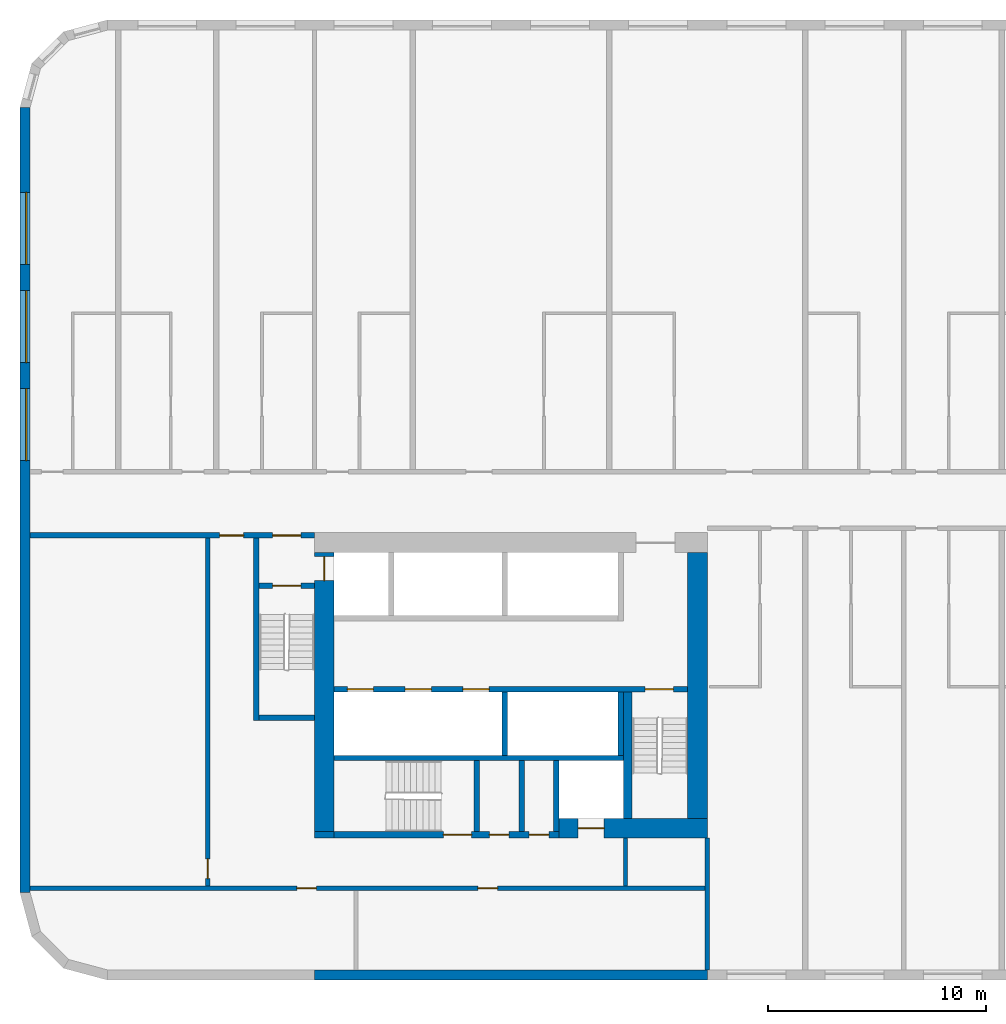
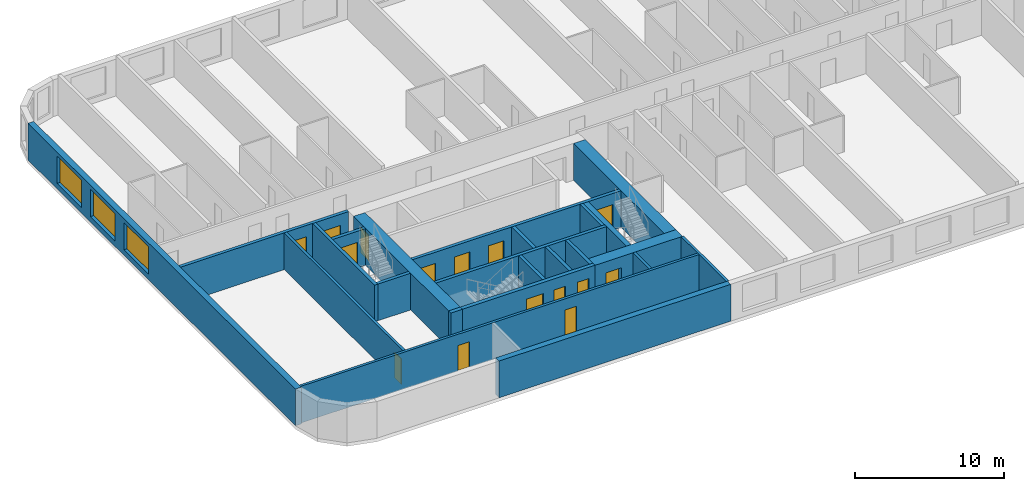
# One storey, part 2 of 12: 23 walls, 15 doors, 3 windows, 18 openings.
"""IFC4 building model written with IfcOpenShell, lengths in metres."""

from ifc_helpers import new_model, si_unit, direction, frame, frame_2d, origin, place, context, subcontext, project, spatial, rectangle, extrude, material, layer, layer_set, type_object, element, fill, save


model = new_model("IFC4")

# Units and contexts
model_context = context("Model", 3, precision=1e-05, world=origin(), true_north=direction((0.0, 1.0)))
body_context = subcontext(model_context, "Body", "Model", "MODEL_VIEW")
ifc_project = project(units=[si_unit("LENGTHUNIT", "METRE"), si_unit("AREAUNIT", "SQUARE_METRE"), si_unit("VOLUMEUNIT", "CUBIC_METRE"), si_unit("PLANEANGLEUNIT", "RADIAN"), si_unit("MASSUNIT", "GRAM", prefix="KILO")], contexts=[model_context])

# Site, building, storey
site_placement = place(None, origin())
site = spatial("IfcSite", under=ifc_project, at=site_placement, CompositionType="ELEMENT")
building_placement = place(site_placement, origin())
building = spatial("IfcBuilding", under=site, at=building_placement, Name="Kajstack Hotel Tower", CompositionType="ELEMENT")
storey_placement = place(building_placement, frame((0.0, 0.0, 73.199951171875)))
storey = spatial("IfcBuildingStorey", under=building, at=storey_placement, Name="L13", CompositionType="ELEMENT", Elevation=73.199951171875)

# Wall, opening, door
ifc_material_1 = material(Name="Concrete C60/75", Category="concrete")
ifc_layer_1 = layer(ifc_material_1, 0.89990234375)
ifc_layer_set_1 = layer_set([ifc_layer_1], Name="Core wall 900")
wall_type_1 = type_object("IfcWallType", Name="Core wall 900", PredefinedType="SHEAR", material=ifc_layer_set_1)
wall_1_placement = place(storey_placement, frame((-20.300048828125, -15.050048828125, 0.0), z_axis=(0.0, 0.0, 1.0), x_axis=(1.0, 0.0, 0.0)))
wall_1 = element("IfcWall", 1, at=wall_1_placement, inside=storey, type_object=wall_type_1, Name="Core wall W RS", PredefinedType="SHEAR", context=body_context, shape_type="SweptSolid", body=[
    extrude(rectangle(XDim=6.800048828125, YDim=0.89990234375, at=frame_2d((3.39990234375, 0.0))), origin(), (0.0, 0.0, 1.0), 3.02001953125),
])
opening_1_placement = place(wall_1_placement, frame((0.875, 0.0, 0.0)))
opening_1 = element("IfcOpeningElement", 2, at=opening_1_placement, cuts=wall_1, Name="Opening LD-SV1", PredefinedType="OPENING", context=body_context, shape_type="SweptSolid", body=[
    extrude(rectangle(XDim=1.199951171875, YDim=2.10009765625, at=frame_2d((0.60009765625, 1.050048828125))), frame((0.0, 0.4599609375, 0.0), z_axis=(0.0, -1.0, 0.0), x_axis=(1.0, 0.0, 0.0)), (0.0, 0.0, 1.0), 0.919921875),
])
ifc_material_2 = material(Name="Stainless steel", Category="steel")
door_type_1 = type_object("IfcDoorType", Name="Lift landing door 1200", OperationType="SLIDING_TO_LEFT", PredefinedType="DOOR", material=ifc_material_2)
door_1_placement = place(opening_1_placement, origin())
door_1 = element("IfcDoor", 3, at=door_1_placement, inside=storey, type_object=door_type_1, Name="Landing door SV1", OperationType="SLIDING_TO_LEFT", OverallHeight=2.10009765625, OverallWidth=1.199951171875, PredefinedType="DOOR", context=body_context, shape_type="SweptSolid", body=[
    extrude(rectangle(XDim=1.199951171875, YDim=2.10009765625, at=frame_2d((0.60009765625, 1.050048828125))), frame((0.0, 0.02490234375, 0.0), z_axis=(0.0, -1.0, 0.0), x_axis=(1.0, 0.0, 0.0)), (0.0, 0.0, 1.0), 0.050048828125),
])
fill(opening_1, door_1)

# Wall
wall_2_placement = place(storey_placement, frame((-31.5, -15.35009765625, 0.0), z_axis=(0.0, 0.0, 1.0), x_axis=(1.0, 0.0, 0.0)))
element("IfcWall", 4, at=wall_2_placement, inside=storey, type_object=wall_type_1, Name="Core wall W RSW", PredefinedType="SHEAR", context=body_context, shape_type="SweptSolid", body=[
    extrude(rectangle(XDim=0.89990234375, YDim=0.300048828125, at=frame_2d((0.449951171875, 0.0))), origin(), (0.0, 0.0, 1.0), 3.02001953125),
])

# Wall, opening, door
wall_3_placement = place(storey_placement, frame((-31.050048828125, -15.199951171875, 0.0), z_axis=(0.0, 0.0, 1.0), x_axis=(0.0, 1.0, 0.0)))
wall_3 = element("IfcWall", 5, at=wall_3_placement, inside=storey, type_object=wall_type_1, Name="Core wall W RW", PredefinedType="SHEAR", context=body_context, shape_type="SweptSolid", body=[
    extrude(rectangle(XDim=12.800048828125, YDim=0.89990234375, at=frame_2d((6.39990234375, 0.0))), origin(), (0.0, 0.0, 1.0), 3.02001953125),
])
opening_2_placement = place(wall_3_placement, frame((11.5, 0.0, 0.0)))
opening_2 = element("IfcOpeningElement", 6, at=opening_2_placement, cuts=wall_3, Name="Opening LD-FF1", PredefinedType="OPENING", context=body_context, shape_type="SweptSolid", body=[
    extrude(rectangle(XDim=1.10009765625, YDim=2.10009765625, at=frame_2d((0.550048828125, 1.050048828125))), frame((0.0, 0.4599609375, 0.0), z_axis=(0.0, -1.0, 0.0), x_axis=(1.0, 0.0, 0.0)), (0.0, 0.0, 1.0), 0.919921875),
])
door_type_2 = type_object("IfcDoorType", Name="Fire-fighting lift landing door 1100", OperationType="SLIDING_TO_LEFT", PredefinedType="DOOR", material=ifc_material_2)
door_2_placement = place(opening_2_placement, origin())
door_2 = element("IfcDoor", 7, at=door_2_placement, inside=storey, type_object=door_type_2, Name="Landing door FF1", OperationType="SLIDING_TO_RIGHT", OverallHeight=2.10009765625, OverallWidth=1.10009765625, PredefinedType="DOOR", context=body_context, shape_type="SweptSolid", body=[
    extrude(rectangle(XDim=1.10009765625, YDim=2.10009765625, at=frame_2d((0.550048828125, 1.050048828125))), frame((0.0, 0.02490234375, 0.0), z_axis=(0.0, -1.0, 0.0), x_axis=(1.0, 0.0, 0.0)), (0.0, 0.0, 1.0), 0.050048828125),
])
fill(opening_2, door_2)

# Walls
wall_4_placement = place(storey_placement, frame((-13.949951171875, -14.60009765625, 0.0), z_axis=(0.0, 0.0, 1.0), x_axis=(0.0, 1.0, 0.0)))
element("IfcWall", 8, at=wall_4_placement, inside=storey, type_object=wall_type_1, Name="Core wall W RE", PredefinedType="SHEAR", context=body_context, shape_type="SweptSolid", body=[
    extrude(rectangle(XDim=12.2001953125, YDim=0.89990234375, at=frame_2d((6.10009765625, 0.0))), origin(), (0.0, 0.0, 1.0), 3.02001953125),
])
ifc_material_3 = material(Name="Twin-frame gypsum board on steel studs, mineral wool", Category="steel")
ifc_layer_2 = layer(ifc_material_3, 0.199951171875)
ifc_layer_set_2 = layer_set([ifc_layer_2], Name="Demising wall 200")
wall_type_2 = type_object("IfcWallType", Name="Demising wall 200", PredefinedType="PARTITIONING", material=ifc_layer_set_2)
wall_5_placement = place(storey_placement, frame((-13.5, -21.550048828125, 0.0), z_axis=(0.0, 0.0, 1.0), x_axis=(0.0, 1.0, 0.0)))
element("IfcWall", 9, at=wall_5_placement, inside=storey, type_object=wall_type_2, Name="G-wall-L13-002", PredefinedType="PARTITIONING", context=body_context, shape_type="SweptSolid", body=[
    extrude(rectangle(XDim=6.050048828125, YDim=0.199951171875, at=frame_2d((3.02490234375, 0.0))), origin(), (0.0, 0.0, 1.0), 3.02001953125),
])
ifc_material_4 = material(Name="Concrete C40/50", Category="concrete")
ifc_layer_3 = layer(ifc_material_4, 0.449951171875)
ifc_layer_set_3 = layer_set([ifc_layer_3], Name="EW-CORE")
wall_type_3 = type_object("IfcWallType", Name="EW-CORE", PredefinedType="SOLIDWALL", material=ifc_layer_set_3)
wall_6_placement = place(storey_placement, frame((-31.5, -21.77490234375, 0.0), z_axis=(0.0, 0.0, 1.0), x_axis=(1.0, 0.0, 0.0)))
element("IfcWall", 10, at=wall_6_placement, inside=storey, type_object=wall_type_3, Name="E-wall-L13-03-01", PredefinedType="SOLIDWALL", context=body_context, shape_type="SweptSolid", body=[
    extrude(rectangle(XDim=18.0, YDim=0.449951171875, at=frame_2d((9.0, 0.0))), origin(), (0.0, 0.0, 1.0), 3.02001953125),
])

# Wall, openings, windows
ifc_material_5 = material(Name="Terracotta-faced brick masonry", Category="masonry")
ifc_layer_4 = layer(ifc_material_5, 0.449951171875)
ifc_layer_set_4 = layer_set([ifc_layer_4], Name="EW-TERRA")
wall_type_4 = type_object("IfcWallType", Name="EW-TERRA", PredefinedType="SOLIDWALL", material=ifc_layer_set_4)
wall_7_placement = place(storey_placement, frame((-44.77490234375, 18.0, 0.0), z_axis=(0.0, 0.0, 1.0), x_axis=(0.0, -1.0, 0.0)))
wall_7 = element("IfcWall", 11, at=wall_7_placement, inside=storey, type_object=wall_type_4, Name="E-wall-L13-15-00", PredefinedType="SOLIDWALL", context=body_context, shape_type="SweptSolid", body=[
    extrude(rectangle(XDim=36.0, YDim=0.449951171875, at=frame_2d((18.0, 0.0))), origin(), (0.0, 0.0, 1.0), 3.02001953125),
])
opening_3_placement = place(wall_7_placement, frame((3.89990234375, 0.0, 0.449951171875)))
opening_3 = element("IfcOpeningElement", 12, at=opening_3_placement, cuts=wall_7, Name="Opening W2", PredefinedType="OPENING", context=body_context, shape_type="SweptSolid", body=[
    extrude(rectangle(XDim=3.300048828125, YDim=2.25, at=frame_2d((1.64990234375, 1.125))), frame((0.0, 0.23486328125, 0.0), z_axis=(0.0, -1.0, 0.0), x_axis=(1.0, 0.0, 0.0)), (0.0, 0.0, 1.0), 0.469970703125),
])
opening_4_placement = place(wall_7_placement, frame((8.39990234375, 0.0, 0.449951171875)))
opening_4 = element("IfcOpeningElement", 13, at=opening_4_placement, cuts=wall_7, Name="Opening W2", PredefinedType="OPENING", context=body_context, shape_type="SweptSolid", body=[
    extrude(rectangle(XDim=3.300048828125, YDim=2.25, at=frame_2d((1.64990234375, 1.125))), frame((0.0, 0.23486328125, 0.0), z_axis=(0.0, -1.0, 0.0), x_axis=(1.0, 0.0, 0.0)), (0.0, 0.0, 1.0), 0.469970703125),
])
opening_5_placement = place(wall_7_placement, frame((12.89990234375, 0.0, 0.449951171875)))
opening_5 = element("IfcOpeningElement", 14, at=opening_5_placement, cuts=wall_7, Name="Opening W2", PredefinedType="OPENING", context=body_context, shape_type="SweptSolid", body=[
    extrude(rectangle(XDim=3.300048828125, YDim=2.25, at=frame_2d((1.64990234375, 1.125))), frame((0.0, 0.23486328125, 0.0), z_axis=(0.0, -1.0, 0.0), x_axis=(1.0, 0.0, 0.0)), (0.0, 0.0, 1.0), 0.469970703125),
])
ifc_material_6 = material(Name="Timber-aluminium window, triple glazed", Category="wood")
window_type = type_object("IfcWindowType", Name="WG2", PartitioningType="SINGLE_PANEL", PredefinedType="WINDOW", material=ifc_material_6)
window_1_placement = place(opening_3_placement, origin())
window_1 = element("IfcWindow", 15, at=window_1_placement, inside=storey, type_object=window_type, Name="Window W2 L13-15", OverallHeight=2.25, OverallWidth=3.300048828125, PartitioningType="SINGLE_PANEL", PredefinedType="WINDOW", context=body_context, shape_type="SweptSolid", body=[
    extrude(rectangle(XDim=3.300048828125, YDim=2.25, at=frame_2d((1.64990234375, 1.125))), frame((0.0, 0.090087890625, 0.0), z_axis=(0.0, -1.0, 0.0), x_axis=(1.0, 0.0, 0.0)), (0.0, 0.0, 1.0), 0.06005859375),
])
fill(opening_3, window_1)
window_2_placement = place(opening_4_placement, origin())
window_2 = element("IfcWindow", 16, at=window_2_placement, inside=storey, type_object=window_type, Name="Window W2 L13-15", OverallHeight=2.25, OverallWidth=3.300048828125, PartitioningType="SINGLE_PANEL", PredefinedType="WINDOW", context=body_context, shape_type="SweptSolid", body=[
    extrude(rectangle(XDim=3.300048828125, YDim=2.25, at=frame_2d((1.64990234375, 1.125))), frame((0.0, 0.090087890625, 0.0), z_axis=(0.0, -1.0, 0.0), x_axis=(1.0, 0.0, 0.0)), (0.0, 0.0, 1.0), 0.06005859375),
])
fill(opening_4, window_2)
window_3_placement = place(opening_5_placement, origin())
window_3 = element("IfcWindow", 17, at=window_3_placement, inside=storey, type_object=window_type, Name="Window W2 L13-15", OverallHeight=2.25, OverallWidth=3.300048828125, PartitioningType="SINGLE_PANEL", PredefinedType="WINDOW", context=body_context, shape_type="SweptSolid", body=[
    extrude(rectangle(XDim=3.300048828125, YDim=2.25, at=frame_2d((1.64990234375, 1.125))), frame((0.0, 0.090087890625, 0.0), z_axis=(0.0, -1.0, 0.0), x_axis=(1.0, 0.0, 0.0)), (0.0, 0.0, 1.0), 0.06005859375),
])
fill(opening_5, window_3)

# Walls
ifc_material_7 = material(Name="Concrete C50/60", Category="concrete")
ifc_layer_5 = layer(ifc_material_7, 0.300048828125)
ifc_layer_set_5 = layer_set([ifc_layer_5], Name="Hoistway divider wall 300")
wall_type_5 = type_object("IfcWallType", Name="Hoistway divider wall 300", PredefinedType="SHEAR", material=ifc_layer_set_5)
wall_8_placement = place(storey_placement, frame((-22.77490234375, -11.699951171875, 0.0), z_axis=(0.0, 0.0, 1.0), x_axis=(0.0, 1.0, 0.0)))
element("IfcWall", 18, at=wall_8_placement, inside=storey, type_object=wall_type_5, Name="Core wall W BP2", PredefinedType="SHEAR", context=body_context, shape_type="SweptSolid", body=[
    extrude(rectangle(XDim=2.89990234375, YDim=0.25, at=frame_2d((1.449951171875, 0.0))), origin(), (0.0, 0.0, 1.0), 3.02001953125),
])
ifc_material_8 = material(Name="Concrete block masonry", Category="masonry")
ifc_layer_6 = layer(ifc_material_8, 0.25)
ifc_layer_set_6 = layer_set([ifc_layer_6], Name="Riser partition 250")
wall_type_6 = type_object("IfcWallType", Name="Riser partition 250", PredefinedType="PARTITIONING", material=ifc_layer_set_6)
wall_9_placement = place(storey_placement, frame((-22.0, -15.199951171875, 0.0), z_axis=(0.0, 0.0, 1.0), x_axis=(0.0, 1.0, 0.0)))
element("IfcWall", 19, at=wall_9_placement, inside=storey, type_object=wall_type_6, Name="Partition W SZ0", PredefinedType="PARTITIONING", context=body_context, shape_type="SweptSolid", body=[
    extrude(rectangle(XDim=3.25, YDim=0.25, at=frame_2d((1.625, 0.0))), origin(), (0.0, 0.0, 1.0), 3.02001953125),
])

# Wall, openings, doors
ifc_material_9 = material(Name="Gypsum board on steel studs, mineral wool", Category="steel")
ifc_layer_7 = layer(ifc_material_9, 0.199951171875)
ifc_layer_set_7 = layer_set([ifc_layer_7], Name="Service partition 200")
wall_type_7 = type_object("IfcWallType", Name="Service partition 200", PredefinedType="PARTITIONING", material=ifc_layer_set_7)
wall_10_placement = place(storey_placement, frame((-44.550048828125, -1.625, 0.0), z_axis=(0.0, 0.0, 1.0), x_axis=(1.0, 0.0, 0.0)))
wall_10 = element("IfcWall", 20, at=wall_10_placement, inside=storey, type_object=wall_type_7, Name="Partition W SN", PredefinedType="PARTITIONING", context=body_context, shape_type="SweptSolid", body=[
    extrude(rectangle(XDim=13.050048828125, YDim=0.25, at=frame_2d((6.52490234375, 0.0))), origin(), (0.0, 0.0, 1.0), 3.02001953125),
])
opening_6_placement = place(wall_10_placement, frame((11.125, 0.0, 0.0)))
opening_6 = element("IfcOpeningElement", 21, at=opening_6_placement, cuts=wall_10, Name="Opening 13W07", PredefinedType="OPENING", context=body_context, shape_type="SweptSolid", body=[
    extrude(rectangle(XDim=1.300048828125, YDim=2.10009765625, at=frame_2d((0.64990234375, 1.050048828125))), frame((0.0, 0.135009765625, 0.0), z_axis=(0.0, -1.0, 0.0), x_axis=(1.0, 0.0, 0.0)), (0.0, 0.0, 1.0), 0.27001953125),
])
opening_7_placement = place(wall_10_placement, frame((8.699951171875, 0.0, 0.0)))
opening_7 = element("IfcOpeningElement", 22, at=opening_7_placement, cuts=wall_10, Name="Opening 13W09", PredefinedType="OPENING", context=body_context, shape_type="SweptSolid", body=[
    extrude(rectangle(XDim=1.10009765625, YDim=2.10009765625, at=frame_2d((0.550048828125, 1.050048828125))), frame((0.0, 0.135009765625, 0.0), z_axis=(0.0, -1.0, 0.0), x_axis=(1.0, 0.0, 0.0)), (0.0, 0.0, 1.0), 0.27001953125),
])
ifc_material_10 = material(Name="Steel leaf, fire-rated", Category="steel")
door_type_3 = type_object("IfcDoorType", Name="Fire lobby door 1300", OperationType="SINGLE_SWING_LEFT", PredefinedType="DOOR", material=ifc_material_10)
door_3_placement = place(opening_6_placement, origin())
door_3 = element("IfcDoor", 23, at=door_3_placement, inside=storey, type_object=door_type_3, Name="Door 13W07", OperationType="SINGLE_SWING_RIGHT", OverallHeight=2.10009765625, OverallWidth=1.300048828125, PredefinedType="DOOR", context=body_context, shape_type="SweptSolid", body=[
    extrude(rectangle(XDim=1.300048828125, YDim=2.10009765625, at=frame_2d((0.64990234375, 1.050048828125))), frame((0.0, 0.02490234375, 0.0), z_axis=(0.0, -1.0, 0.0), x_axis=(1.0, 0.0, 0.0)), (0.0, 0.0, 1.0), 0.050048828125),
])
fill(opening_6, door_3)
ifc_material_11 = material(Name="Timber leaf, fire-rated", Category="wood")
door_type_4 = type_object("IfcDoorType", Name="Service corridor door 1100", OperationType="SINGLE_SWING_LEFT", PredefinedType="DOOR", material=ifc_material_11)
door_4_placement = place(opening_7_placement, origin())
door_4 = element("IfcDoor", 24, at=door_4_placement, inside=storey, type_object=door_type_4, Name="Door 13W09", OperationType="SINGLE_SWING_RIGHT", OverallHeight=2.10009765625, OverallWidth=1.10009765625, PredefinedType="DOOR", context=body_context, shape_type="SweptSolid", body=[
    extrude(rectangle(XDim=1.10009765625, YDim=2.10009765625, at=frame_2d((0.550048828125, 1.050048828125))), frame((0.0, 0.02490234375, 0.0), z_axis=(0.0, -1.0, 0.0), x_axis=(1.0, 0.0, 0.0)), (0.0, 0.0, 1.0), 0.050048828125),
])
fill(opening_7, door_4)

# Wall
wall_11_placement = place(storey_placement, frame((-17.25, -17.699951171875, 0.0), z_axis=(0.0, 0.0, 1.0), x_axis=(0.0, 1.0, 0.0)))
element("IfcWall", 25, at=wall_11_placement, inside=storey, type_object=wall_type_7, Name="Partition W SCE", PredefinedType="PARTITIONING", context=body_context, shape_type="SweptSolid", body=[
    extrude(rectangle(XDim=2.199951171875, YDim=0.199951171875, at=frame_2d((1.10009765625, 0.0))), origin(), (0.0, 0.0, 1.0), 3.02001953125),
])

# Wall, opening, door
wall_12_placement = place(storey_placement, frame((-36.39990234375, -17.699951171875, 0.0), z_axis=(0.0, 0.0, 1.0), x_axis=(0.0, 1.0, 0.0)))
wall_12 = element("IfcWall", 26, at=wall_12_placement, inside=storey, type_object=wall_type_7, Name="Partition W WRE", PredefinedType="PARTITIONING", context=body_context, shape_type="SweptSolid", body=[
    extrude(rectangle(XDim=15.949951171875, YDim=0.199951171875, at=frame_2d((7.97509765625, 0.0))), origin(), (0.0, 0.0, 1.0), 3.02001953125),
])
opening_8_placement = place(wall_12_placement, frame((0.35009765625, 0.0, 0.0)))
opening_8 = element("IfcOpeningElement", 27, at=opening_8_placement, cuts=wall_12, Name="Opening 13W16", PredefinedType="OPENING", context=body_context, shape_type="SweptSolid", body=[
    extrude(rectangle(XDim=0.89990234375, YDim=2.10009765625, at=frame_2d((0.449951171875, 1.050048828125))), frame((0.0, 0.10986328125, 0.0), z_axis=(0.0, -1.0, 0.0), x_axis=(1.0, 0.0, 0.0)), (0.0, 0.0, 1.0), 0.219970703125),
])
door_type_5 = type_object("IfcDoorType", Name="Service door 900", OperationType="SINGLE_SWING_LEFT", PredefinedType="DOOR", material=ifc_material_11)
door_5_placement = place(opening_8_placement, origin())
door_5 = element("IfcDoor", 28, at=door_5_placement, inside=storey, type_object=door_type_5, Name="Door 13W16", OperationType="SINGLE_SWING_LEFT", OverallHeight=2.10009765625, OverallWidth=0.89990234375, PredefinedType="DOOR", context=body_context, shape_type="SweptSolid", body=[
    extrude(rectangle(XDim=0.89990234375, YDim=2.10009765625, at=frame_2d((0.449951171875, 1.050048828125))), frame((0.0, 0.02490234375, 0.0), z_axis=(0.0, -1.0, 0.0), x_axis=(1.0, 0.0, 0.0)), (0.0, 0.0, 1.0), 0.050048828125),
])
fill(opening_8, door_5)

# Wall, openings, doors
wall_13_placement = place(storey_placement, frame((-44.550048828125, -17.800048828125, 0.0), z_axis=(0.0, 0.0, 1.0), x_axis=(1.0, 0.0, 0.0)))
wall_13 = element("IfcWall", 29, at=wall_13_placement, inside=storey, type_object=wall_type_7, Name="Partition W SLN", PredefinedType="PARTITIONING", context=body_context, shape_type="SweptSolid", body=[
    extrude(rectangle(XDim=30.949951171875, YDim=0.199951171875, at=frame_2d((15.47509765625, 0.0))), origin(), (0.0, 0.0, 1.0), 3.02001953125),
])
opening_9_placement = place(wall_13_placement, frame((12.237548828125, 0.0, 0.0)))
opening_9 = element("IfcOpeningElement", 30, at=opening_9_placement, cuts=wall_13, Name="Opening 13W14", PredefinedType="OPENING", context=body_context, shape_type="SweptSolid", body=[
    extrude(rectangle(XDim=0.89990234375, YDim=2.10009765625, at=frame_2d((0.449951171875, 1.050048828125))), frame((0.0, 0.10986328125, 0.0), z_axis=(0.0, -1.0, 0.0), x_axis=(1.0, 0.0, 0.0)), (0.0, 0.0, 1.0), 0.219970703125),
])
opening_10_placement = place(wall_13_placement, frame((20.53759765625, 0.0, 0.0)))
opening_10 = element("IfcOpeningElement", 31, at=opening_10_placement, cuts=wall_13, Name="Opening 13W15", PredefinedType="OPENING", context=body_context, shape_type="SweptSolid", body=[
    extrude(rectangle(XDim=0.89990234375, YDim=2.10009765625, at=frame_2d((0.449951171875, 1.050048828125))), frame((0.0, 0.10986328125, 0.0), z_axis=(0.0, -1.0, 0.0), x_axis=(1.0, 0.0, 0.0)), (0.0, 0.0, 1.0), 0.219970703125),
])
door_6_placement = place(opening_9_placement, origin())
door_6 = element("IfcDoor", 32, at=door_6_placement, inside=storey, type_object=door_type_5, Name="Door 13W14", OperationType="SINGLE_SWING_RIGHT", OverallHeight=2.10009765625, OverallWidth=0.89990234375, PredefinedType="DOOR", context=body_context, shape_type="SweptSolid", body=[
    extrude(rectangle(XDim=0.89990234375, YDim=2.10009765625, at=frame_2d((0.449951171875, 1.050048828125))), frame((0.0, 0.02490234375, 0.0), z_axis=(0.0, -1.0, 0.0), x_axis=(1.0, 0.0, 0.0)), (0.0, 0.0, 1.0), 0.050048828125),
])
fill(opening_9, door_6)
door_7_placement = place(opening_10_placement, origin())
door_7 = element("IfcDoor", 33, at=door_7_placement, inside=storey, type_object=door_type_5, Name="Door 13W15", OperationType="SINGLE_SWING_RIGHT", OverallHeight=2.10009765625, OverallWidth=0.89990234375, PredefinedType="DOOR", context=body_context, shape_type="SweptSolid", body=[
    extrude(rectangle(XDim=0.89990234375, YDim=2.10009765625, at=frame_2d((0.449951171875, 1.050048828125))), frame((0.0, 0.02490234375, 0.0), z_axis=(0.0, -1.0, 0.0), x_axis=(1.0, 0.0, 0.0)), (0.0, 0.0, 1.0), 0.050048828125),
])
fill(opening_10, door_7)

ifc_layer_8 = layer(ifc_material_7, 0.25)
ifc_layer_set_8 = layer_set([ifc_layer_8], Name="Shaft wall 250")
wall_type_8 = type_object("IfcWallType", Name="Shaft wall 250", PredefinedType="SHEAR", material=ifc_layer_set_8)
wall_14_placement = place(storey_placement, frame((-30.60009765625, -15.35009765625, 0.0), z_axis=(0.0, 0.0, 1.0), x_axis=(1.0, 0.0, 0.0)))
wall_14 = element("IfcWall", 34, at=wall_14_placement, inside=storey, type_object=wall_type_8, Name="Core wall W RSS", PredefinedType="SHEAR", context=body_context, shape_type="SweptSolid", body=[
    extrude(rectangle(XDim=10.300048828125, YDim=0.300048828125, at=frame_2d((5.14990234375, 0.0))), origin(), (0.0, 0.0, 1.0), 3.02001953125),
])
opening_11_placement = place(wall_14_placement, frame((5.0, 0.0, 0.0)))
opening_11 = element("IfcOpeningElement", 35, at=opening_11_placement, cuts=wall_14, Name="Opening 13W11", PredefinedType="OPENING", context=body_context, shape_type="SweptSolid", body=[
    extrude(rectangle(XDim=1.300048828125, YDim=2.10009765625, at=frame_2d((0.64990234375, 1.050048828125))), frame((0.0, 0.159912109375, 0.0), z_axis=(0.0, -1.0, 0.0), x_axis=(1.0, 0.0, 0.0)), (0.0, 0.0, 1.0), 0.320068359375),
])
opening_12_placement = place(wall_14_placement, frame((7.112548828125, 0.0, 0.0)))
opening_12 = element("IfcOpeningElement", 36, at=opening_12_placement, cuts=wall_14, Name="Opening 13W12", PredefinedType="OPENING", context=body_context, shape_type="SweptSolid", body=[
    extrude(rectangle(XDim=0.89990234375, YDim=2.10009765625, at=frame_2d((0.449951171875, 1.050048828125))), frame((0.0, 0.159912109375, 0.0), z_axis=(0.0, -1.0, 0.0), x_axis=(1.0, 0.0, 0.0)), (0.0, 0.0, 1.0), 0.320068359375),
])
opening_13_placement = place(wall_14_placement, frame((8.9375, 0.0, 0.0)))
opening_13 = element("IfcOpeningElement", 37, at=opening_13_placement, cuts=wall_14, Name="Opening 13W13", PredefinedType="OPENING", context=body_context, shape_type="SweptSolid", body=[
    extrude(rectangle(XDim=0.89990234375, YDim=2.10009765625, at=frame_2d((0.449951171875, 1.050048828125))), frame((0.0, 0.159912109375, 0.0), z_axis=(0.0, -1.0, 0.0), x_axis=(1.0, 0.0, 0.0)), (0.0, 0.0, 1.0), 0.320068359375),
])
door_8_placement = place(opening_12_placement, origin())
door_8 = element("IfcDoor", 38, at=door_8_placement, inside=storey, type_object=door_type_5, Name="Door 13W12", OperationType="SINGLE_SWING_LEFT", OverallHeight=2.10009765625, OverallWidth=0.89990234375, PredefinedType="DOOR", context=body_context, shape_type="SweptSolid", body=[
    extrude(rectangle(XDim=0.89990234375, YDim=2.10009765625, at=frame_2d((0.449951171875, 1.050048828125))), frame((0.0, 0.02490234375, 0.0), z_axis=(0.0, -1.0, 0.0), x_axis=(1.0, 0.0, 0.0)), (0.0, 0.0, 1.0), 0.050048828125),
])
fill(opening_12, door_8)
door_9_placement = place(opening_13_placement, origin())
door_9 = element("IfcDoor", 39, at=door_9_placement, inside=storey, type_object=door_type_5, Name="Door 13W13", OperationType="SINGLE_SWING_LEFT", OverallHeight=2.10009765625, OverallWidth=0.89990234375, PredefinedType="DOOR", context=body_context, shape_type="SweptSolid", body=[
    extrude(rectangle(XDim=0.89990234375, YDim=2.10009765625, at=frame_2d((0.449951171875, 1.050048828125))), frame((0.0, 0.02490234375, 0.0), z_axis=(0.0, -1.0, 0.0), x_axis=(1.0, 0.0, 0.0)), (0.0, 0.0, 1.0), 0.050048828125),
])
fill(opening_13, door_9)
door_type_6 = type_object("IfcDoorType", Name="Stair door 1300", OperationType="SINGLE_SWING_LEFT", PredefinedType="DOOR", material=ifc_material_10)
door_10_placement = place(opening_11_placement, origin())
door_10 = element("IfcDoor", 40, at=door_10_placement, inside=storey, type_object=door_type_6, Name="Door 13W11", OperationType="SINGLE_SWING_RIGHT", OverallHeight=2.10009765625, OverallWidth=1.300048828125, PredefinedType="DOOR", context=body_context, shape_type="SweptSolid", body=[
    extrude(rectangle(XDim=1.300048828125, YDim=2.10009765625, at=frame_2d((0.64990234375, 1.050048828125))), frame((0.0, 0.02490234375, 0.0), z_axis=(0.0, -1.0, 0.0), x_axis=(1.0, 0.0, 0.0)), (0.0, 0.0, 1.0), 0.050048828125),
])
fill(opening_11, door_10)

wall_15_placement = place(storey_placement, frame((-30.60009765625, -8.675048828125, 0.0), z_axis=(0.0, 0.0, 1.0), x_axis=(1.0, 0.0, 0.0)))
wall_15 = element("IfcWall", 41, at=wall_15_placement, inside=storey, type_object=wall_type_8, Name="Core wall W FB", PredefinedType="SHEAR", context=body_context, shape_type="SweptSolid", body=[
    extrude(rectangle(XDim=16.2001953125, YDim=0.25, at=frame_2d((8.10009765625, 0.0))), origin(), (0.0, 0.0, 1.0), 3.02001953125),
])
opening_14_placement = place(wall_15_placement, frame((0.60009765625, 0.0, 0.0)))
opening_14 = element("IfcOpeningElement", 42, at=opening_14_placement, cuts=wall_15, Name="Opening LD-LR1", PredefinedType="OPENING", context=body_context, shape_type="SweptSolid", body=[
    extrude(rectangle(XDim=1.199951171875, YDim=2.10009765625, at=frame_2d((0.60009765625, 1.050048828125))), frame((0.0, 0.135009765625, 0.0), z_axis=(0.0, -1.0, 0.0), x_axis=(1.0, 0.0, 0.0)), (0.0, 0.0, 1.0), 0.27001953125),
])
opening_15_placement = place(wall_15_placement, frame((3.25, 0.0, 0.0)))
opening_15 = element("IfcOpeningElement", 43, at=opening_15_placement, cuts=wall_15, Name="Opening LD-LR2", PredefinedType="OPENING", context=body_context, shape_type="SweptSolid", body=[
    extrude(rectangle(XDim=1.199951171875, YDim=2.10009765625, at=frame_2d((0.60009765625, 1.050048828125))), frame((0.0, 0.135009765625, 0.0), z_axis=(0.0, -1.0, 0.0), x_axis=(1.0, 0.0, 0.0)), (0.0, 0.0, 1.0), 0.27001953125),
])
opening_16_placement = place(wall_15_placement, frame((5.89990234375, 0.0, 0.0)))
opening_16 = element("IfcOpeningElement", 44, at=opening_16_placement, cuts=wall_15, Name="Opening LD-LR3", PredefinedType="OPENING", context=body_context, shape_type="SweptSolid", body=[
    extrude(rectangle(XDim=1.199951171875, YDim=2.10009765625, at=frame_2d((0.60009765625, 1.050048828125))), frame((0.0, 0.135009765625, 0.0), z_axis=(0.0, -1.0, 0.0), x_axis=(1.0, 0.0, 0.0)), (0.0, 0.0, 1.0), 0.27001953125),
])
opening_17_placement = place(wall_15_placement, frame((14.25, 0.0, 0.0)))
opening_17 = element("IfcOpeningElement", 45, at=opening_17_placement, cuts=wall_15, Name="Opening 13W10", PredefinedType="OPENING", context=body_context, shape_type="SweptSolid", body=[
    extrude(rectangle(XDim=1.300048828125, YDim=2.10009765625, at=frame_2d((0.64990234375, 1.050048828125))), frame((0.0, 0.135009765625, 0.0), z_axis=(0.0, -1.0, 0.0), x_axis=(1.0, 0.0, 0.0)), (0.0, 0.0, 1.0), 0.27001953125),
])
door_11_placement = place(opening_14_placement, origin())
door_11 = element("IfcDoor", 46, at=door_11_placement, inside=storey, type_object=door_type_1, Name="Landing door LR1", OperationType="SLIDING_TO_LEFT", OverallHeight=2.10009765625, OverallWidth=1.199951171875, PredefinedType="DOOR", context=body_context, shape_type="SweptSolid", body=[
    extrude(rectangle(XDim=1.199951171875, YDim=2.10009765625, at=frame_2d((0.60009765625, 1.050048828125))), frame((0.0, 0.02490234375, 0.0), z_axis=(0.0, -1.0, 0.0), x_axis=(1.0, 0.0, 0.0)), (0.0, 0.0, 1.0), 0.050048828125),
])
fill(opening_14, door_11)
door_12_placement = place(opening_15_placement, origin())
door_12 = element("IfcDoor", 47, at=door_12_placement, inside=storey, type_object=door_type_1, Name="Landing door LR2", OperationType="SLIDING_TO_RIGHT", OverallHeight=2.10009765625, OverallWidth=1.199951171875, PredefinedType="DOOR", context=body_context, shape_type="SweptSolid", body=[
    extrude(rectangle(XDim=1.199951171875, YDim=2.10009765625, at=frame_2d((0.60009765625, 1.050048828125))), frame((0.0, 0.02490234375, 0.0), z_axis=(0.0, -1.0, 0.0), x_axis=(1.0, 0.0, 0.0)), (0.0, 0.0, 1.0), 0.050048828125),
])
fill(opening_15, door_12)
door_13_placement = place(opening_16_placement, origin())
door_13 = element("IfcDoor", 48, at=door_13_placement, inside=storey, type_object=door_type_1, Name="Landing door LR3", OperationType="SLIDING_TO_RIGHT", OverallHeight=2.10009765625, OverallWidth=1.199951171875, PredefinedType="DOOR", context=body_context, shape_type="SweptSolid", body=[
    extrude(rectangle(XDim=1.199951171875, YDim=2.10009765625, at=frame_2d((0.60009765625, 1.050048828125))), frame((0.0, 0.02490234375, 0.0), z_axis=(0.0, -1.0, 0.0), x_axis=(1.0, 0.0, 0.0)), (0.0, 0.0, 1.0), 0.050048828125),
])
fill(opening_16, door_13)
door_14_placement = place(opening_17_placement, origin())
door_14 = element("IfcDoor", 49, at=door_14_placement, inside=storey, type_object=door_type_6, Name="Door 13W10", OperationType="SINGLE_SWING_RIGHT", OverallHeight=2.10009765625, OverallWidth=1.300048828125, PredefinedType="DOOR", context=body_context, shape_type="SweptSolid", body=[
    extrude(rectangle(XDim=1.300048828125, YDim=2.10009765625, at=frame_2d((0.64990234375, 1.050048828125))), frame((0.0, 0.02490234375, 0.0), z_axis=(0.0, -1.0, 0.0), x_axis=(1.0, 0.0, 0.0)), (0.0, 0.0, 1.0), 0.050048828125),
])
fill(opening_17, door_14)

# Walls
wall_16_placement = place(storey_placement, frame((-30.60009765625, -11.824951171875, 0.0), z_axis=(0.0, 0.0, 1.0), x_axis=(1.0, 0.0, 0.0)))
element("IfcWall", 50, at=wall_16_placement, inside=storey, type_object=wall_type_8, Name="Core wall W RB", PredefinedType="SHEAR", context=body_context, shape_type="SweptSolid", body=[
    extrude(rectangle(XDim=13.25, YDim=0.25, at=frame_2d((6.625, 0.0))), origin(), (0.0, 0.0, 1.0), 3.02001953125),
])
wall_17_placement = place(storey_placement, frame((-17.47509765625, -11.699951171875, 0.0), z_axis=(0.0, 0.0, 1.0), x_axis=(0.0, 1.0, 0.0)))
element("IfcWall", 51, at=wall_17_placement, inside=storey, type_object=wall_type_8, Name="Core wall W BE", PredefinedType="SHEAR", context=body_context, shape_type="SweptSolid", body=[
    extrude(rectangle(XDim=2.89990234375, YDim=0.25, at=frame_2d((1.449951171875, 0.0))), origin(), (0.0, 0.0, 1.0), 3.02001953125),
])
wall_18_placement = place(storey_placement, frame((-20.425048828125, -15.199951171875, 0.0), z_axis=(0.0, 0.0, 1.0), x_axis=(0.0, 1.0, 0.0)))
element("IfcWall", 52, at=wall_18_placement, inside=storey, type_object=wall_type_8, Name="Core wall W SVW", PredefinedType="SHEAR", context=body_context, shape_type="SweptSolid", body=[
    extrude(rectangle(XDim=3.25, YDim=0.25, at=frame_2d((1.625, 0.0))), origin(), (0.0, 0.0, 1.0), 3.02001953125),
])

# Wall, opening, door
ifc_layer_9 = layer(ifc_material_4, 0.25)
ifc_layer_set_9 = layer_set([ifc_layer_9], Name="Stair enclosure wall 250")
wall_type_9 = type_object("IfcWallType", Name="Stair enclosure wall 250", PredefinedType="SHEAR", material=ifc_layer_set_9)
wall_19_placement = place(storey_placement, frame((-34.050048828125, -3.925048828125, 0.0), z_axis=(0.0, 0.0, 1.0), x_axis=(1.0, 0.0, 0.0)))
wall_19 = element("IfcWall", 53, at=wall_19_placement, inside=storey, type_object=wall_type_9, Name="Core wall W W1N", PredefinedType="SHEAR", context=body_context, shape_type="SweptSolid", body=[
    extrude(rectangle(XDim=2.550048828125, YDim=0.25, at=frame_2d((1.27490234375, 0.0))), origin(), (0.0, 0.0, 1.0), 3.02001953125),
])
opening_18_placement = place(wall_19_placement, frame((0.625, 0.0, 0.0)))
opening_18 = element("IfcOpeningElement", 54, at=opening_18_placement, cuts=wall_19, Name="Opening 13W08", PredefinedType="OPENING", context=body_context, shape_type="SweptSolid", body=[
    extrude(rectangle(XDim=1.300048828125, YDim=2.10009765625, at=frame_2d((0.64990234375, 1.050048828125))), frame((0.0, 0.135009765625, 0.0), z_axis=(0.0, -1.0, 0.0), x_axis=(1.0, 0.0, 0.0)), (0.0, 0.0, 1.0), 0.27001953125),
])
door_15_placement = place(opening_18_placement, origin())
door_15 = element("IfcDoor", 55, at=door_15_placement, inside=storey, type_object=door_type_6, Name="Door 13W08", OperationType="SINGLE_SWING_RIGHT", OverallHeight=2.10009765625, OverallWidth=1.300048828125, PredefinedType="DOOR", context=body_context, shape_type="SweptSolid", body=[
    extrude(rectangle(XDim=1.300048828125, YDim=2.10009765625, at=frame_2d((0.64990234375, 1.050048828125))), frame((0.0, 0.02490234375, 0.0), z_axis=(0.0, -1.0, 0.0), x_axis=(1.0, 0.0, 0.0)), (0.0, 0.0, 1.0), 0.050048828125),
])
fill(opening_18, door_15)

# Walls
wall_20_placement = place(storey_placement, frame((-34.175048828125, -10.10009765625, 0.0), z_axis=(0.0, 0.0, 1.0), x_axis=(0.0, 1.0, 0.0)))
element("IfcWall", 56, at=wall_20_placement, inside=storey, type_object=wall_type_9, Name="Core wall W W1W", PredefinedType="SHEAR", context=body_context, shape_type="SweptSolid", body=[
    extrude(rectangle(XDim=8.35009765625, YDim=0.25, at=frame_2d((4.175048828125, 0.0))), origin(), (0.0, 0.0, 1.0), 3.02001953125),
])
wall_21_placement = place(storey_placement, frame((-34.050048828125, -9.97509765625, 0.0), z_axis=(0.0, 0.0, 1.0), x_axis=(1.0, 0.0, 0.0)))
element("IfcWall", 57, at=wall_21_placement, inside=storey, type_object=wall_type_9, Name="Core wall W W1S", PredefinedType="SHEAR", context=body_context, shape_type="SweptSolid", body=[
    extrude(rectangle(XDim=2.550048828125, YDim=0.25, at=frame_2d((1.27490234375, 0.0))), origin(), (0.0, 0.0, 1.0), 3.02001953125),
])
ifc_layer_10 = layer(ifc_material_7, 0.35009765625)
ifc_layer_set_10 = layer_set([ifc_layer_10], Name="Stair enclosure wall 350")
wall_type_10 = type_object("IfcWallType", Name="Stair enclosure wall 350", PredefinedType="SHEAR", material=ifc_layer_set_10)
wall_22_placement = place(storey_placement, frame((-24.074951171875, -15.199951171875, 0.0), z_axis=(0.0, 0.0, 1.0), x_axis=(0.0, 1.0, 0.0)))
element("IfcWall", 58, at=wall_22_placement, inside=storey, type_object=wall_type_10, Name="Core wall W W3E", PredefinedType="SHEAR", context=body_context, shape_type="SweptSolid", body=[
    extrude(rectangle(XDim=3.25, YDim=0.25, at=frame_2d((1.625, 0.0))), origin(), (0.0, 0.0, 1.0), 3.02001953125),
])
ifc_layer_11 = layer(ifc_material_7, 0.39990234375)
ifc_layer_set_11 = layer_set([ifc_layer_11], Name="Stair wall 400")
wall_type_11 = type_object("IfcWallType", Name="Stair wall 400", PredefinedType="SHEAR", material=ifc_layer_set_11)
wall_23_placement = place(storey_placement, frame((-17.14990234375, -14.60009765625, 0.0), z_axis=(0.0, 0.0, 1.0), x_axis=(0.0, 1.0, 0.0)))
element("IfcWall", 59, at=wall_23_placement, inside=storey, type_object=wall_type_11, Name="Core wall W WW2", PredefinedType="SHEAR", context=body_context, shape_type="SweptSolid", body=[
    extrude(rectangle(XDim=5.800048828125, YDim=0.39990234375, at=frame_2d((2.89990234375, 0.0))), origin(), (0.0, 0.0, 1.0), 3.02001953125),
])

save(model, "model.ifc")
